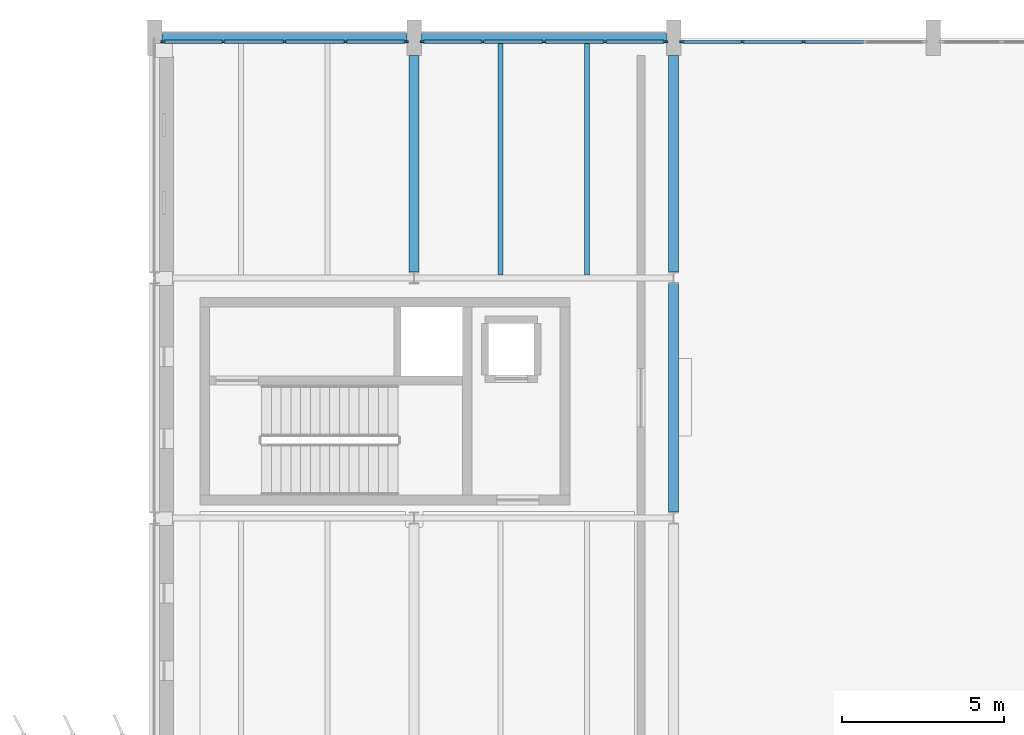
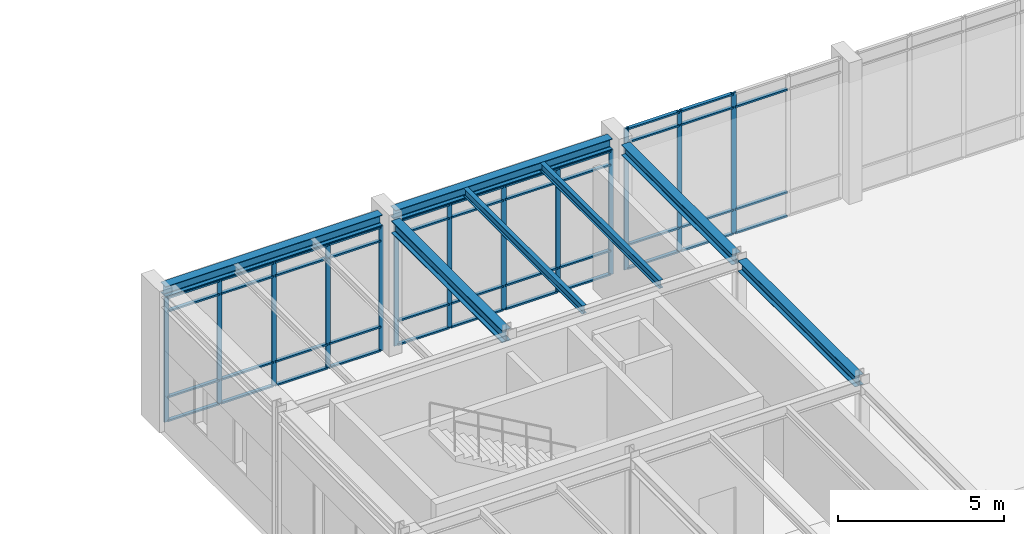
# One storey, part 22 of 48: 56 members, 7 beams, 3 elements without a shape of their own.
"""IFC4 building model written with IfcOpenShell, lengths in metres."""

import ifcopenshell
import ifcopenshell.guid

model = None  # the IFC model being written
_history = None  # IfcOwnerHistory: only IFC2X3 demands one
_inside = {}  # id of a spatial element -> (the spatial element, [elements in it])
_under = {}  # id of a project, library or spatial element -> (it, [spatial elements below it])
_declared = {}  # id of a project -> (the project, [libraries it declares])
_typed = {}  # id of a type object -> (the type object, [elements of that type])
_made_of = {}  # id of a material, layer set ... -> (it, [elements and type objects made of it])


def new_model(schema):
    """Start an empty IFC model of exactly this schema.

    Asked for "IFC4X3", IfcOpenShell would pick the latest addendum, in which some entities
    have other attributes; the version numbers below select the first issue.
    IFC2X3 requires an IfcOwnerHistory on every rooted entity: one is made here for all.
    """
    global model, _history
    if schema == "IFC4X3":
        model = ifcopenshell.file(schema_version=(4, 3, 0, 0))
    else:
        model = ifcopenshell.file(schema=schema)
    _inside.clear()
    _under.clear()
    _declared.clear()
    _typed.clear()
    _made_of.clear()
    _history = None
    if model.schema == "IFC2X3":
        org = make("IfcOrganization", Name="unknown")
        user = make(
            "IfcPersonAndOrganization",
            ThePerson=make("IfcPerson", FamilyName="unknown"),
            TheOrganization=org,
        )
        app = make(
            "IfcApplication",
            ApplicationDeveloper=org,
            Version="unknown",
            ApplicationFullName="unknown",
            ApplicationIdentifier="unknown",
        )
        _history = make(
            "IfcOwnerHistory",
            OwningUser=user,
            OwningApplication=app,
            ChangeAction="ADDED",
            CreationDate=0,
        )
    return model


def make(cls, **values):
    """One entity of the class cls with the attributes given. An attribute that is None is left unset."""
    return model.create_entity(
        cls, **{name: value for name, value in values.items() if value is not None}
    )


def rooted(cls, **values):
    """An entity with a GlobalId (a new one), such as an element, a storey or a relation."""
    return make(cls, GlobalId=ifcopenshell.guid.new(), OwnerHistory=_history, **values)


def si_unit(unit_type, name, prefix=None):
    """IfcSIUnit, for example si_unit("LENGTHUNIT", "METRE", prefix="MILLI")."""
    return make("IfcSIUnit", UnitType=unit_type, Prefix=prefix, Name=name)


def assignment(units):
    """IfcUnitAssignment: the units of a project."""
    return None if units is None else make("IfcUnitAssignment", Units=units)


def point(xyz):
    """IfcCartesianPoint."""
    return None if xyz is None else make("IfcCartesianPoint", Coordinates=xyz)


def direction(xyz):
    """IfcDirection."""
    return None if xyz is None else make("IfcDirection", DirectionRatios=xyz)


def frame(location, z_axis=None, x_axis=None):
    """IfcAxis2Placement3D, a coordinate frame: its origin and axes. An axis left out is left unset."""
    return make(
        "IfcAxis2Placement3D",
        Location=point(location),
        Axis=direction(z_axis),
        RefDirection=direction(x_axis),
    )


def frame_2d(location, x_axis=None):
    """IfcAxis2Placement2D, a coordinate frame in the plane: its origin and x axis."""
    return make(
        "IfcAxis2Placement2D", Location=point(location), RefDirection=direction(x_axis)
    )


def origin():
    """The frame at (0, 0, 0) with its axes left unset."""
    return frame((0.0, 0.0, 0.0))


def origin_2d():
    """The frame at (0, 0) in the plane with its x axis left unset."""
    return frame_2d((0.0, 0.0))


def place(relative_to, where):
    """IfcLocalPlacement: puts the frame where relative to a parent placement (None: the world)."""
    return make(
        "IfcLocalPlacement", PlacementRelTo=relative_to, RelativePlacement=where
    )


def context(
    kind, dimensions, precision=None, world=None, true_north=None, identifier=None
):
    """IfcGeometricRepresentationContext, for example the 3D "Model" context."""
    return make(
        "IfcGeometricRepresentationContext",
        ContextIdentifier=identifier,
        ContextType=kind,
        CoordinateSpaceDimension=dimensions,
        Precision=precision,
        WorldCoordinateSystem=world,
        TrueNorth=true_north,
    )


def subcontext(parent, identifier, kind, view, scale=None):
    """IfcGeometricRepresentationSubContext, for example "Body" below "Model"."""
    return make(
        "IfcGeometricRepresentationSubContext",
        ContextIdentifier=identifier,
        ContextType=kind,
        ParentContext=parent,
        TargetScale=scale,
        TargetView=view,
    )


def project(units=None, contexts=None):
    """IfcProject with its units and contexts."""
    return rooted(
        "IfcProject",
        Name="project",
        RepresentationContexts=contexts,
        UnitsInContext=assignment(units),
    )


def spatial(cls, under=None, at=None, **own):
    """A site, building, storey or space (cls), placed at a placement, below another one or the project."""
    s = rooted(cls, ObjectPlacement=at, **own)
    if under is not None:
        _under.setdefault(under.id(), (under, []))[1].append(s)
    return s


def profile(cls, at=None, kind="AREA", **sizes):
    """A parametric profile (cls). Its sizes go by their IFC names, for example OverallWidth=200.0."""
    return make(cls, ProfileType=kind, Position=at, **sizes)


def rectangle(**sizes):
    """IfcRectangleProfileDef."""
    return profile("IfcRectangleProfileDef", **sizes)


def i_section(**sizes):
    """IfcIShapeProfileDef."""
    return profile("IfcIShapeProfileDef", **sizes)


def extrude(swept, where, along, depth):
    """IfcExtrudedAreaSolid: the profile swept, set in the frame where, extruded along a direction by depth."""
    return make(
        "IfcExtrudedAreaSolid",
        SweptArea=swept,
        Position=where,
        ExtrudedDirection=direction(along),
        Depth=depth,
    )


def shape(context_of_items, identifier, shape_type, items):
    """IfcShapeRepresentation: the items that make up one representation, for example the "Body"."""
    return make(
        "IfcShapeRepresentation",
        ContextOfItems=context_of_items,
        RepresentationIdentifier=identifier,
        RepresentationType=shape_type,
        Items=items,
    )


def material(Name=None, Category=None):
    """IfcMaterial."""
    return make("IfcMaterial", Name=Name, Category=Category)


def layer(
    of_material, thickness, ventilated=None, Name=None, Category=None, Priority=None
):
    """IfcMaterialLayer: one layer of a wall or slab, of a material (None: an air gap)."""
    return make(
        "IfcMaterialLayer",
        Material=of_material,
        LayerThickness=thickness,
        IsVentilated=ventilated,
        Name=Name,
        Category=Category,
        Priority=Priority,
    )


def layer_set(layers, Name=None):
    """IfcMaterialLayerSet."""
    return make("IfcMaterialLayerSet", MaterialLayers=layers, LayerSetName=Name)


def material_profile(
    of_material, cross_section, Name=None, Category=None, Priority=None
):
    """IfcMaterialProfile: a cross section and its material."""
    return make(
        "IfcMaterialProfile",
        Name=Name,
        Material=of_material,
        Profile=cross_section,
        Priority=Priority,
        Category=Category,
    )


def profile_set(profiles, Name=None, composite=None):
    """IfcMaterialProfileSet."""
    return make(
        "IfcMaterialProfileSet",
        Name=Name,
        MaterialProfiles=profiles,
        CompositeProfile=composite,
    )


def made_of(thing, what):
    """Note that an element or type object is made of a material, layer set ...; save() writes the relation."""
    if what is not None:
        _made_of.setdefault(what.id(), (what, []))[1].append(thing)
    return thing


def type_object(cls, material=None, **own):
    """A type object (cls), such as IfcWallType, which elements share."""
    return made_of(rooted(cls, **own), material)


def element(
    cls,
    number,
    at=None,
    inside=None,
    cuts=None,
    type_object=None,
    material=None,
    context=None,
    identifier="Body",
    shape_type=None,
    held_by="IfcProductDefinitionShape",
    body=None,
    shapes=None,
    **own,
):
    """One element of the class cls, such as IfcWall. Its Tag is "e" and its number.

    at: its placement. inside: the storey or other place that contains it. cuts: it is an
    opening in that element (IfcRelVoidsElement). A single representation is given by context,
    identifier, shape_type and body (its items); several are given by shapes. held_by: the class
    of the entity that holds the representations. save() writes the other relations.
    """
    e = rooted(cls, Tag="e%d" % number, ObjectPlacement=at, **own)
    if body is not None:
        shapes = [shape(context, identifier, shape_type, body)]
    if shapes is not None:
        e.Representation = make(held_by, Representations=shapes)
    if inside is not None:
        _inside.setdefault(inside.id(), (inside, []))[1].append(e)
    if cuts is not None:
        rooted(
            "IfcRelVoidsElement", RelatingBuildingElement=cuts, RelatedOpeningElement=e
        )
    if type_object is not None:
        _typed.setdefault(type_object.id(), (type_object, []))[1].append(e)
    return made_of(e, material)


def aggregate(whole, parts):
    """IfcRelAggregates: a whole, such as a stair, and the parts it consists of."""
    return rooted("IfcRelAggregates", RelatingObject=whole, RelatedObjects=parts)


def save(model, path):
    """Write the relations noted so far, then the file.

    IfcRelAggregates (storeys below a building ...), IfcRelContainedInSpatialStructure (elements
    in a storey), IfcRelDefinesByType, IfcRelAssociatesMaterial and IfcRelDeclares: one each for
    every whole, place, type object, material and project.
    """
    for whole, parts in _under.values():
        aggregate(whole, parts)
    for where, things in _inside.values():
        rooted(
            "IfcRelContainedInSpatialStructure",
            RelatedElements=things,
            RelatingStructure=where,
        )
    for kind, things in _typed.values():
        rooted("IfcRelDefinesByType", RelatedObjects=things, RelatingType=kind)
    for what, things in _made_of.values():
        rooted("IfcRelAssociatesMaterial", RelatedObjects=things, RelatingMaterial=what)
    for by, libraries in _declared.values():
        rooted("IfcRelDeclares", RelatingContext=by, RelatedDefinitions=libraries)
    model.write(path)


model = new_model("IFC4")

# Units and contexts
model_context = context("Model", 3, precision=1e-05, world=origin(), true_north=direction((0.0, 1.0)))
body_context = subcontext(model_context, "Body", "Model", "MODEL_VIEW")
ifc_project = project(units=[si_unit("LENGTHUNIT", "METRE"), si_unit("AREAUNIT", "SQUARE_METRE"), si_unit("VOLUMEUNIT", "CUBIC_METRE"), si_unit("PLANEANGLEUNIT", "RADIAN"), si_unit("MASSUNIT", "GRAM", prefix="KILO")], contexts=[model_context])

# Site, building, storey
site_placement = place(None, origin())
site = spatial("IfcSite", under=ifc_project, at=site_placement, CompositionType="ELEMENT")
building_placement = place(site_placement, origin())
building = spatial("IfcBuilding", under=site, at=building_placement, Name="Valkorina Park Police Headquarters", CompositionType="ELEMENT")
storey_placement = place(building_placement, frame((0.0, 0.0, 18.10009765625)))
storey = spatial("IfcBuildingStorey", under=building, at=storey_placement, Name="L05", CompositionType="ELEMENT", Elevation=18.10009765625)

# Beams
ifc_material_1 = material(Name="Steel S355", Category="steel")
ifc_material_profile_1 = material_profile(ifc_material_1, i_section(OverallWidth=0.300048828125, OverallDepth=0.389892578125, WebThickness=0.010986328125, FlangeThickness=0.01904296875, FilletRadius=0.027099609375, at=origin_2d()), Name="HEA 400")
ifc_profile_set_1 = profile_set([ifc_material_profile_1], Name="Steel S355")
beam_type_1 = type_object("IfcBeamType", Name="BM-S355-HEA400-SPN", PredefinedType="SPANDREL", material=ifc_profile_set_1)
for number, where, z_axis, x_axis, name in (
    (1, (81.02490234375, 81.39990234375, 4.784912109375), (1.0, 0.0, 0.0), (0.0, 1.0, 0.0), "L05 Framing Beam 2505"),
    (2, (89.02490234375, 81.39990234375, 4.784912109375), (1.0, 0.0, 0.0), (0.0, 1.0, 0.0), "L05 Framing Beam 2506"),
):
    element("IfcBeam", number, at=place(storey_placement, frame(where, z_axis=z_axis, x_axis=x_axis)), inside=storey, type_object=beam_type_1, Name=name, PredefinedType="SPANDREL", context=body_context, shape_type="SweptSolid", body=[
        extrude(i_section(OverallWidth=0.300048828125, OverallDepth=0.389892578125, WebThickness=0.010986328125, FlangeThickness=0.01904296875, FilletRadius=0.027099609375, at=origin_2d()), origin(), (0.0, 0.0, 1.0), 7.550048828125),
    ])
beam_1_placement = place(storey_placement, frame((96.800048828125, 66.780029296875, 4.784912109375), z_axis=(0.0, 1.0, 0.0), x_axis=(-1.0, 0.0, 0.0)))
element("IfcBeam", 3, at=beam_1_placement, inside=storey, type_object=beam_type_1, Name="L05 Framing Beam 2588", PredefinedType="SPANDREL", context=body_context, shape_type="SweptSolid", body=[
    extrude(i_section(OverallWidth=0.300048828125, OverallDepth=0.389892578125, WebThickness=0.010986328125, FlangeThickness=0.01904296875, FilletRadius=0.027099609375, at=origin_2d()), origin(), (0.0, 0.0, 1.0), 7.0400390625),
])
beam_2_placement = place(storey_placement, frame((96.800048828125, 74.179931640625, 4.784912109375), z_axis=(0.0, 1.0, 0.0), x_axis=(-1.0, 0.0, 0.0)))
element("IfcBeam", 4, at=beam_2_placement, inside=storey, type_object=beam_type_1, Name="L05 Framing Beam 2589", PredefinedType="SPANDREL", context=body_context, shape_type="SweptSolid", body=[
    extrude(i_section(OverallWidth=0.300048828125, OverallDepth=0.389892578125, WebThickness=0.010986328125, FlangeThickness=0.01904296875, FilletRadius=0.027099609375, at=origin_2d()), origin(), (0.0, 0.0, 1.0), 6.670166015625),
])
ifc_material_profile_2 = material_profile(ifc_material_1, i_section(OverallWidth=0.300048828125, OverallDepth=0.449951171875, WebThickness=0.013916015625, FlangeThickness=0.02587890625, FilletRadius=0.027099609375, at=origin_2d()), Name="HEB 450")
ifc_profile_set_2 = profile_set([ifc_material_profile_2], Name="Steel S355")
beam_type_2 = type_object("IfcBeamType", Name="BM-S355-HEB450-BM", PredefinedType="BEAM", material=ifc_profile_set_2)
beam_3_placement = place(storey_placement, frame((88.800048828125, 74.179931640625, 4.7548828125), z_axis=(0.0, 1.0, 0.0), x_axis=(-1.0, 0.0, 0.0)))
element("IfcBeam", 5, at=beam_3_placement, inside=storey, type_object=beam_type_2, Name="L05 Framing Beam 2575", PredefinedType="BEAM", context=body_context, shape_type="SweptSolid", body=[
    extrude(i_section(OverallWidth=0.300048828125, OverallDepth=0.449951171875, WebThickness=0.013916015625, FlangeThickness=0.02587890625, FilletRadius=0.027099609375, at=origin_2d()), origin(), (0.0, 0.0, 1.0), 6.670166015625),
])
ifc_material_profile_3 = material_profile(ifc_material_1, i_section(OverallWidth=0.14990234375, OverallDepth=0.300048828125, WebThickness=0.007080078125, FlangeThickness=0.0107421875, FilletRadius=0.014892578125, at=origin_2d()), Name="IPE 300")
ifc_profile_set_3 = profile_set([ifc_material_profile_3], Name="Steel S355")
beam_type_3 = type_object("IfcBeamType", Name="BM-S355-IPE300-JST", PredefinedType="JOIST", material=ifc_profile_set_3)
for number, where, z_axis, x_axis, name in (
    (6, (91.466796875, 74.094970703125, 4.829833984375), (0.0, 1.0, 0.0), (-1.0, 0.0, 0.0), "L05 Framing Beam 2576"),
    (7, (94.13330078125, 74.094970703125, 4.829833984375), (0.0, 1.0, 0.0), (-1.0, 0.0, 0.0), "L05 Framing Beam 2577"),
):
    element("IfcBeam", number, at=place(storey_placement, frame(where, z_axis=z_axis, x_axis=x_axis)), inside=storey, type_object=beam_type_3, Name=name, PredefinedType="JOIST", context=body_context, shape_type="SweptSolid", body=[
        extrude(i_section(OverallWidth=0.14990234375, OverallDepth=0.300048828125, WebThickness=0.007080078125, FlangeThickness=0.0107421875, FilletRadius=0.014892578125, at=origin_2d()), origin(), (0.0, 0.0, 1.0), 7.155029296875),
    ])

# Curtain wall, members
ifc_material_2 = material(Name="Thermally broken aluminium AW-6060", Category="aluminium")
ifc_layer_1 = layer(ifc_material_2, 0.18994140625)
ifc_layer_set_1 = layer_set([ifc_layer_1], Name="Thermally broken aluminium AW-6060")
curtain_wall_type_1 = type_object("IfcCurtainWallType", Name="CW-CMD-7530x4580", PredefinedType="NOTDEFINED", material=ifc_layer_set_1)
curtain_wall_1_placement = place(storey_placement, origin())
curtain_wall_1 = element("IfcCurtainWall", 8, at=curtain_wall_1_placement, inside=storey, type_object=curtain_wall_type_1, Name="L05 Unitised Curtain Wall 088", PredefinedType="NOTDEFINED")
ifc_material_profile_4 = material_profile(ifc_material_2, rectangle(XDim=0.06005859375, YDim=0.159912109375, at=origin_2d()), Name="CWM-01 60x160")
ifc_profile_set_4 = profile_set([ifc_material_profile_4], Name="Thermally broken aluminium AW-6060")
member_type_1 = type_object("IfcMemberType", Name="CWM-60x160", PredefinedType="MULLION", material=ifc_profile_set_4)
member_1_placement = place(storey_placement, frame((81.06494140625, 81.280029296875, 0.0), z_axis=(0.0, 0.0, 1.0), x_axis=(0.0, 1.0, 0.0)))
member_1 = element("IfcMember", 9, at=member_1_placement, type_object=member_type_1, Name="CW-CMD-753-458 mullion 1", PredefinedType="MULLION", context=body_context, shape_type="SweptSolid", body=[
    extrude(rectangle(XDim=0.06005859375, YDim=0.159912109375, at=origin_2d()), origin(), (0.0, 0.0, 1.0), 4.579833984375),
])
member_2_placement = place(storey_placement, frame((82.91748046875, 81.280029296875, 0.0), z_axis=(0.0, 0.0, 1.0), x_axis=(0.0, 1.0, 0.0)))
member_2 = element("IfcMember", 10, at=member_2_placement, type_object=member_type_1, Name="CW-CMD-753-458 mullion 2", PredefinedType="MULLION", context=body_context, shape_type="SweptSolid", body=[
    extrude(rectangle(XDim=0.06005859375, YDim=0.159912109375, at=origin_2d()), origin(), (0.0, 0.0, 1.0), 4.579833984375),
])
member_3_placement = place(storey_placement, frame((84.800048828125, 81.280029296875, 0.0), z_axis=(0.0, 0.0, 1.0), x_axis=(0.0, 1.0, 0.0)))
member_3 = element("IfcMember", 11, at=member_3_placement, type_object=member_type_1, Name="CW-CMD-753-458 mullion 3", PredefinedType="MULLION", context=body_context, shape_type="SweptSolid", body=[
    extrude(rectangle(XDim=0.06005859375, YDim=0.159912109375, at=origin_2d()), origin(), (0.0, 0.0, 1.0), 4.579833984375),
])
member_4_placement = place(storey_placement, frame((86.6826171875, 81.280029296875, 0.0), z_axis=(0.0, 0.0, 1.0), x_axis=(0.0, 1.0, 0.0)))
member_4 = element("IfcMember", 12, at=member_4_placement, type_object=member_type_1, Name="CW-CMD-753-458 mullion 4", PredefinedType="MULLION", context=body_context, shape_type="SweptSolid", body=[
    extrude(rectangle(XDim=0.06005859375, YDim=0.159912109375, at=origin_2d()), origin(), (0.0, 0.0, 1.0), 4.579833984375),
])
member_5_placement = place(storey_placement, frame((88.534912109375, 81.280029296875, 0.0), z_axis=(0.0, 0.0, 1.0), x_axis=(0.0, 1.0, 0.0)))
member_5 = element("IfcMember", 13, at=member_5_placement, type_object=member_type_1, Name="CW-CMD-753-458 mullion 5", PredefinedType="MULLION", context=body_context, shape_type="SweptSolid", body=[
    extrude(rectangle(XDim=0.06005859375, YDim=0.159912109375, at=origin_2d()), origin(), (0.0, 0.0, 1.0), 4.579833984375),
])

curtain_wall_2_placement = place(storey_placement, origin())
curtain_wall_2 = element("IfcCurtainWall", 14, at=curtain_wall_2_placement, inside=storey, type_object=curtain_wall_type_1, Name="L05 Unitised Curtain Wall 089", PredefinedType="NOTDEFINED")
member_6_placement = place(storey_placement, frame((89.06494140625, 81.280029296875, 0.0), z_axis=(0.0, 0.0, 1.0), x_axis=(0.0, 1.0, 0.0)))
member_6 = element("IfcMember", 15, at=member_6_placement, type_object=member_type_1, Name="CW-CMD-753-458 mullion 1", PredefinedType="MULLION", context=body_context, shape_type="SweptSolid", body=[
    extrude(rectangle(XDim=0.06005859375, YDim=0.159912109375, at=origin_2d()), origin(), (0.0, 0.0, 1.0), 4.579833984375),
])
member_7_placement = place(storey_placement, frame((90.91748046875, 81.280029296875, 0.0), z_axis=(0.0, 0.0, 1.0), x_axis=(0.0, 1.0, 0.0)))
member_7 = element("IfcMember", 16, at=member_7_placement, type_object=member_type_1, Name="CW-CMD-753-458 mullion 2", PredefinedType="MULLION", context=body_context, shape_type="SweptSolid", body=[
    extrude(rectangle(XDim=0.06005859375, YDim=0.159912109375, at=origin_2d()), origin(), (0.0, 0.0, 1.0), 4.579833984375),
])
member_8_placement = place(storey_placement, frame((92.800048828125, 81.280029296875, 0.0), z_axis=(0.0, 0.0, 1.0), x_axis=(0.0, 1.0, 0.0)))
member_8 = element("IfcMember", 17, at=member_8_placement, type_object=member_type_1, Name="CW-CMD-753-458 mullion 3", PredefinedType="MULLION", context=body_context, shape_type="SweptSolid", body=[
    extrude(rectangle(XDim=0.06005859375, YDim=0.159912109375, at=origin_2d()), origin(), (0.0, 0.0, 1.0), 4.579833984375),
])
member_9_placement = place(storey_placement, frame((94.6826171875, 81.280029296875, 0.0), z_axis=(0.0, 0.0, 1.0), x_axis=(0.0, 1.0, 0.0)))
member_9 = element("IfcMember", 18, at=member_9_placement, type_object=member_type_1, Name="CW-CMD-753-458 mullion 4", PredefinedType="MULLION", context=body_context, shape_type="SweptSolid", body=[
    extrude(rectangle(XDim=0.06005859375, YDim=0.159912109375, at=origin_2d()), origin(), (0.0, 0.0, 1.0), 4.579833984375),
])
member_10_placement = place(storey_placement, frame((96.534912109375, 81.280029296875, 0.0), z_axis=(0.0, 0.0, 1.0), x_axis=(0.0, 1.0, 0.0)))
member_10 = element("IfcMember", 19, at=member_10_placement, type_object=member_type_1, Name="CW-CMD-753-458 mullion 5", PredefinedType="MULLION", context=body_context, shape_type="SweptSolid", body=[
    extrude(rectangle(XDim=0.06005859375, YDim=0.159912109375, at=origin_2d()), origin(), (0.0, 0.0, 1.0), 4.579833984375),
])

ifc_layer_2 = layer(ifc_material_2, 0.18994140625)
ifc_layer_set_2 = layer_set([ifc_layer_2], Name="Thermally broken aluminium AW-6060")
curtain_wall_type_2 = type_object("IfcCurtainWallType", Name="CW-CMD-7530x5190", PredefinedType="NOTDEFINED", material=ifc_layer_set_2)
curtain_wall_3_placement = place(storey_placement, origin())
curtain_wall_3 = element("IfcCurtainWall", 20, at=curtain_wall_3_placement, inside=storey, type_object=curtain_wall_type_2, Name="L05 Unitised Curtain Wall 090", PredefinedType="NOTDEFINED")
member_11_placement = place(storey_placement, frame((97.06494140625, 81.280029296875, 0.0), z_axis=(0.0, 0.0, 1.0), x_axis=(0.0, 1.0, 0.0)))
member_11 = element("IfcMember", 21, at=member_11_placement, type_object=member_type_1, Name="CW-CMD-753-519 mullion 1", PredefinedType="MULLION", context=body_context, shape_type="SweptSolid", body=[
    extrude(rectangle(XDim=0.06005859375, YDim=0.159912109375, at=origin_2d()), origin(), (0.0, 0.0, 1.0), 5.18994140625),
])
member_12_placement = place(storey_placement, frame((98.91748046875, 81.280029296875, 0.0), z_axis=(0.0, 0.0, 1.0), x_axis=(0.0, 1.0, 0.0)))
member_12 = element("IfcMember", 22, at=member_12_placement, type_object=member_type_1, Name="CW-CMD-753-519 mullion 2", PredefinedType="MULLION", context=body_context, shape_type="SweptSolid", body=[
    extrude(rectangle(XDim=0.06005859375, YDim=0.159912109375, at=origin_2d()), origin(), (0.0, 0.0, 1.0), 5.18994140625),
])
member_13_placement = place(storey_placement, frame((100.800048828125, 81.280029296875, 0.0), z_axis=(0.0, 0.0, 1.0), x_axis=(0.0, 1.0, 0.0)))
member_13 = element("IfcMember", 23, at=member_13_placement, type_object=member_type_1, Name="CW-CMD-753-519 mullion 3", PredefinedType="MULLION", context=body_context, shape_type="SweptSolid", body=[
    extrude(rectangle(XDim=0.06005859375, YDim=0.159912109375, at=origin_2d()), origin(), (0.0, 0.0, 1.0), 5.18994140625),
])

# Member
ifc_material_profile_5 = material_profile(ifc_material_2, rectangle(XDim=0.1201171875, YDim=0.06005859375, at=origin_2d()), Name="CWT-01 120x60")
ifc_profile_set_5 = profile_set([ifc_material_profile_5], Name="Thermally broken aluminium AW-6060")
member_type_2 = type_object("IfcMemberType", Name="CWT-120x60", PredefinedType="USERDEFINED", material=ifc_profile_set_5)
member_14_placement = place(storey_placement, frame((81.094970703125, 81.280029296875, 0.02978515625), z_axis=(1.0, 0.0, 0.0), x_axis=(0.0, 1.0, 0.0)))
member_14 = element("IfcMember", 24, at=member_14_placement, type_object=member_type_2, Name="CW-CMD-753-458 transom 1.1", ObjectType="TRANSOM", PredefinedType="USERDEFINED", context=body_context, shape_type="SweptSolid", body=[
    extrude(rectangle(XDim=0.1201171875, YDim=0.06005859375, at=origin_2d()), origin(), (0.0, 0.0, 1.0), 1.79248046875),
])

member_15_placement = place(storey_placement, frame((81.094970703125, 81.280029296875, 0.89990234375), z_axis=(1.0, 0.0, 0.0), x_axis=(0.0, 1.0, 0.0)))
member_15 = element("IfcMember", 25, at=member_15_placement, type_object=member_type_2, Name="CW-CMD-753-458 transom 1.2", ObjectType="TRANSOM", PredefinedType="USERDEFINED", context=body_context, shape_type="SweptSolid", body=[
    extrude(rectangle(XDim=0.1201171875, YDim=0.06005859375, at=origin_2d()), origin(), (0.0, 0.0, 1.0), 1.79248046875),
])

member_16_placement = place(storey_placement, frame((81.094970703125, 81.280029296875, 4.059814453125), z_axis=(1.0, 0.0, 0.0), x_axis=(0.0, 1.0, 0.0)))
member_16 = element("IfcMember", 26, at=member_16_placement, type_object=member_type_2, Name="CW-CMD-753-458 transom 1.3", ObjectType="TRANSOM", PredefinedType="USERDEFINED", context=body_context, shape_type="SweptSolid", body=[
    extrude(rectangle(XDim=0.1201171875, YDim=0.06005859375, at=origin_2d()), origin(), (0.0, 0.0, 1.0), 1.79248046875),
])

member_17_placement = place(storey_placement, frame((81.094970703125, 81.280029296875, 4.5498046875), z_axis=(1.0, 0.0, 0.0), x_axis=(0.0, 1.0, 0.0)))
member_17 = element("IfcMember", 27, at=member_17_placement, type_object=member_type_2, Name="CW-CMD-753-458 transom 1.4", ObjectType="TRANSOM", PredefinedType="USERDEFINED", context=body_context, shape_type="SweptSolid", body=[
    extrude(rectangle(XDim=0.1201171875, YDim=0.06005859375, at=origin_2d()), origin(), (0.0, 0.0, 1.0), 1.79248046875),
])

member_18_placement = place(storey_placement, frame((82.947509765625, 81.280029296875, 0.02978515625), z_axis=(1.0, 0.0, 0.0), x_axis=(0.0, 1.0, 0.0)))
member_18 = element("IfcMember", 28, at=member_18_placement, type_object=member_type_2, Name="CW-CMD-753-458 transom 2.1", ObjectType="TRANSOM", PredefinedType="USERDEFINED", context=body_context, shape_type="SweptSolid", body=[
    extrude(rectangle(XDim=0.1201171875, YDim=0.06005859375, at=origin_2d()), origin(), (0.0, 0.0, 1.0), 1.822509765625),
])

member_19_placement = place(storey_placement, frame((82.947509765625, 81.280029296875, 0.89990234375), z_axis=(1.0, 0.0, 0.0), x_axis=(0.0, 1.0, 0.0)))
member_19 = element("IfcMember", 29, at=member_19_placement, type_object=member_type_2, Name="CW-CMD-753-458 transom 2.2", ObjectType="TRANSOM", PredefinedType="USERDEFINED", context=body_context, shape_type="SweptSolid", body=[
    extrude(rectangle(XDim=0.1201171875, YDim=0.06005859375, at=origin_2d()), origin(), (0.0, 0.0, 1.0), 1.822509765625),
])

member_20_placement = place(storey_placement, frame((82.947509765625, 81.280029296875, 4.059814453125), z_axis=(1.0, 0.0, 0.0), x_axis=(0.0, 1.0, 0.0)))
member_20 = element("IfcMember", 30, at=member_20_placement, type_object=member_type_2, Name="CW-CMD-753-458 transom 2.3", ObjectType="TRANSOM", PredefinedType="USERDEFINED", context=body_context, shape_type="SweptSolid", body=[
    extrude(rectangle(XDim=0.1201171875, YDim=0.06005859375, at=origin_2d()), origin(), (0.0, 0.0, 1.0), 1.822509765625),
])

member_21_placement = place(storey_placement, frame((82.947509765625, 81.280029296875, 4.5498046875), z_axis=(1.0, 0.0, 0.0), x_axis=(0.0, 1.0, 0.0)))
member_21 = element("IfcMember", 31, at=member_21_placement, type_object=member_type_2, Name="CW-CMD-753-458 transom 2.4", ObjectType="TRANSOM", PredefinedType="USERDEFINED", context=body_context, shape_type="SweptSolid", body=[
    extrude(rectangle(XDim=0.1201171875, YDim=0.06005859375, at=origin_2d()), origin(), (0.0, 0.0, 1.0), 1.822509765625),
])

member_22_placement = place(storey_placement, frame((84.830078125, 81.280029296875, 0.02978515625), z_axis=(1.0, 0.0, 0.0), x_axis=(0.0, 1.0, 0.0)))
member_22 = element("IfcMember", 32, at=member_22_placement, type_object=member_type_2, Name="CW-CMD-753-458 transom 3.1", ObjectType="TRANSOM", PredefinedType="USERDEFINED", context=body_context, shape_type="SweptSolid", body=[
    extrude(rectangle(XDim=0.1201171875, YDim=0.06005859375, at=origin_2d()), origin(), (0.0, 0.0, 1.0), 1.822509765625),
])

member_23_placement = place(storey_placement, frame((84.830078125, 81.280029296875, 0.89990234375), z_axis=(1.0, 0.0, 0.0), x_axis=(0.0, 1.0, 0.0)))
member_23 = element("IfcMember", 33, at=member_23_placement, type_object=member_type_2, Name="CW-CMD-753-458 transom 3.2", ObjectType="TRANSOM", PredefinedType="USERDEFINED", context=body_context, shape_type="SweptSolid", body=[
    extrude(rectangle(XDim=0.1201171875, YDim=0.06005859375, at=origin_2d()), origin(), (0.0, 0.0, 1.0), 1.822509765625),
])

member_24_placement = place(storey_placement, frame((84.830078125, 81.280029296875, 4.059814453125), z_axis=(1.0, 0.0, 0.0), x_axis=(0.0, 1.0, 0.0)))
member_24 = element("IfcMember", 34, at=member_24_placement, type_object=member_type_2, Name="CW-CMD-753-458 transom 3.3", ObjectType="TRANSOM", PredefinedType="USERDEFINED", context=body_context, shape_type="SweptSolid", body=[
    extrude(rectangle(XDim=0.1201171875, YDim=0.06005859375, at=origin_2d()), origin(), (0.0, 0.0, 1.0), 1.822509765625),
])

member_25_placement = place(storey_placement, frame((84.830078125, 81.280029296875, 4.5498046875), z_axis=(1.0, 0.0, 0.0), x_axis=(0.0, 1.0, 0.0)))
member_25 = element("IfcMember", 35, at=member_25_placement, type_object=member_type_2, Name="CW-CMD-753-458 transom 3.4", ObjectType="TRANSOM", PredefinedType="USERDEFINED", context=body_context, shape_type="SweptSolid", body=[
    extrude(rectangle(XDim=0.1201171875, YDim=0.06005859375, at=origin_2d()), origin(), (0.0, 0.0, 1.0), 1.822509765625),
])

member_26_placement = place(storey_placement, frame((86.71240234375, 81.280029296875, 0.02978515625), z_axis=(1.0, 0.0, 0.0), x_axis=(0.0, 1.0, 0.0)))
member_26 = element("IfcMember", 36, at=member_26_placement, type_object=member_type_2, Name="CW-CMD-753-458 transom 4.1", ObjectType="TRANSOM", PredefinedType="USERDEFINED", context=body_context, shape_type="SweptSolid", body=[
    extrude(rectangle(XDim=0.1201171875, YDim=0.06005859375, at=origin_2d()), origin(), (0.0, 0.0, 1.0), 1.79248046875),
])

member_27_placement = place(storey_placement, frame((86.71240234375, 81.280029296875, 0.89990234375), z_axis=(1.0, 0.0, 0.0), x_axis=(0.0, 1.0, 0.0)))
member_27 = element("IfcMember", 37, at=member_27_placement, type_object=member_type_2, Name="CW-CMD-753-458 transom 4.2", ObjectType="TRANSOM", PredefinedType="USERDEFINED", context=body_context, shape_type="SweptSolid", body=[
    extrude(rectangle(XDim=0.1201171875, YDim=0.06005859375, at=origin_2d()), origin(), (0.0, 0.0, 1.0), 1.79248046875),
])

member_28_placement = place(storey_placement, frame((86.71240234375, 81.280029296875, 4.059814453125), z_axis=(1.0, 0.0, 0.0), x_axis=(0.0, 1.0, 0.0)))
member_28 = element("IfcMember", 38, at=member_28_placement, type_object=member_type_2, Name="CW-CMD-753-458 transom 4.3", ObjectType="TRANSOM", PredefinedType="USERDEFINED", context=body_context, shape_type="SweptSolid", body=[
    extrude(rectangle(XDim=0.1201171875, YDim=0.06005859375, at=origin_2d()), origin(), (0.0, 0.0, 1.0), 1.79248046875),
])

member_29_placement = place(storey_placement, frame((86.71240234375, 81.280029296875, 4.5498046875), z_axis=(1.0, 0.0, 0.0), x_axis=(0.0, 1.0, 0.0)))
member_29 = element("IfcMember", 39, at=member_29_placement, type_object=member_type_2, Name="CW-CMD-753-458 transom 4.4", ObjectType="TRANSOM", PredefinedType="USERDEFINED", context=body_context, shape_type="SweptSolid", body=[
    extrude(rectangle(XDim=0.1201171875, YDim=0.06005859375, at=origin_2d()), origin(), (0.0, 0.0, 1.0), 1.79248046875),
])

aggregate(curtain_wall_1, [member_1, member_2, member_3, member_4, member_5, member_14, member_15, member_16, member_17, member_18, member_19, member_20, member_21, member_22, member_23, member_24, member_25, member_26, member_27, member_28, member_29])

member_30_placement = place(storey_placement, frame((89.094970703125, 81.280029296875, 0.02978515625), z_axis=(1.0, 0.0, 0.0), x_axis=(0.0, 1.0, 0.0)))
member_30 = element("IfcMember", 40, at=member_30_placement, type_object=member_type_2, Name="CW-CMD-753-458 transom 1.1", ObjectType="TRANSOM", PredefinedType="USERDEFINED", context=body_context, shape_type="SweptSolid", body=[
    extrude(rectangle(XDim=0.1201171875, YDim=0.06005859375, at=origin_2d()), origin(), (0.0, 0.0, 1.0), 1.79248046875),
])

member_31_placement = place(storey_placement, frame((89.094970703125, 81.280029296875, 0.89990234375), z_axis=(1.0, 0.0, 0.0), x_axis=(0.0, 1.0, 0.0)))
member_31 = element("IfcMember", 41, at=member_31_placement, type_object=member_type_2, Name="CW-CMD-753-458 transom 1.2", ObjectType="TRANSOM", PredefinedType="USERDEFINED", context=body_context, shape_type="SweptSolid", body=[
    extrude(rectangle(XDim=0.1201171875, YDim=0.06005859375, at=origin_2d()), origin(), (0.0, 0.0, 1.0), 1.79248046875),
])

member_32_placement = place(storey_placement, frame((89.094970703125, 81.280029296875, 4.059814453125), z_axis=(1.0, 0.0, 0.0), x_axis=(0.0, 1.0, 0.0)))
member_32 = element("IfcMember", 42, at=member_32_placement, type_object=member_type_2, Name="CW-CMD-753-458 transom 1.3", ObjectType="TRANSOM", PredefinedType="USERDEFINED", context=body_context, shape_type="SweptSolid", body=[
    extrude(rectangle(XDim=0.1201171875, YDim=0.06005859375, at=origin_2d()), origin(), (0.0, 0.0, 1.0), 1.79248046875),
])

member_33_placement = place(storey_placement, frame((89.094970703125, 81.280029296875, 4.5498046875), z_axis=(1.0, 0.0, 0.0), x_axis=(0.0, 1.0, 0.0)))
member_33 = element("IfcMember", 43, at=member_33_placement, type_object=member_type_2, Name="CW-CMD-753-458 transom 1.4", ObjectType="TRANSOM", PredefinedType="USERDEFINED", context=body_context, shape_type="SweptSolid", body=[
    extrude(rectangle(XDim=0.1201171875, YDim=0.06005859375, at=origin_2d()), origin(), (0.0, 0.0, 1.0), 1.79248046875),
])

member_34_placement = place(storey_placement, frame((90.947509765625, 81.280029296875, 0.02978515625), z_axis=(1.0, 0.0, 0.0), x_axis=(0.0, 1.0, 0.0)))
member_34 = element("IfcMember", 44, at=member_34_placement, type_object=member_type_2, Name="CW-CMD-753-458 transom 2.1", ObjectType="TRANSOM", PredefinedType="USERDEFINED", context=body_context, shape_type="SweptSolid", body=[
    extrude(rectangle(XDim=0.1201171875, YDim=0.06005859375, at=origin_2d()), origin(), (0.0, 0.0, 1.0), 1.822509765625),
])

member_35_placement = place(storey_placement, frame((90.947509765625, 81.280029296875, 0.89990234375), z_axis=(1.0, 0.0, 0.0), x_axis=(0.0, 1.0, 0.0)))
member_35 = element("IfcMember", 45, at=member_35_placement, type_object=member_type_2, Name="CW-CMD-753-458 transom 2.2", ObjectType="TRANSOM", PredefinedType="USERDEFINED", context=body_context, shape_type="SweptSolid", body=[
    extrude(rectangle(XDim=0.1201171875, YDim=0.06005859375, at=origin_2d()), origin(), (0.0, 0.0, 1.0), 1.822509765625),
])

member_36_placement = place(storey_placement, frame((90.947509765625, 81.280029296875, 4.059814453125), z_axis=(1.0, 0.0, 0.0), x_axis=(0.0, 1.0, 0.0)))
member_36 = element("IfcMember", 46, at=member_36_placement, type_object=member_type_2, Name="CW-CMD-753-458 transom 2.3", ObjectType="TRANSOM", PredefinedType="USERDEFINED", context=body_context, shape_type="SweptSolid", body=[
    extrude(rectangle(XDim=0.1201171875, YDim=0.06005859375, at=origin_2d()), origin(), (0.0, 0.0, 1.0), 1.822509765625),
])

member_37_placement = place(storey_placement, frame((90.947509765625, 81.280029296875, 4.5498046875), z_axis=(1.0, 0.0, 0.0), x_axis=(0.0, 1.0, 0.0)))
member_37 = element("IfcMember", 47, at=member_37_placement, type_object=member_type_2, Name="CW-CMD-753-458 transom 2.4", ObjectType="TRANSOM", PredefinedType="USERDEFINED", context=body_context, shape_type="SweptSolid", body=[
    extrude(rectangle(XDim=0.1201171875, YDim=0.06005859375, at=origin_2d()), origin(), (0.0, 0.0, 1.0), 1.822509765625),
])

member_38_placement = place(storey_placement, frame((92.830078125, 81.280029296875, 0.02978515625), z_axis=(1.0, 0.0, 0.0), x_axis=(0.0, 1.0, 0.0)))
member_38 = element("IfcMember", 48, at=member_38_placement, type_object=member_type_2, Name="CW-CMD-753-458 transom 3.1", ObjectType="TRANSOM", PredefinedType="USERDEFINED", context=body_context, shape_type="SweptSolid", body=[
    extrude(rectangle(XDim=0.1201171875, YDim=0.06005859375, at=origin_2d()), origin(), (0.0, 0.0, 1.0), 1.822509765625),
])

member_39_placement = place(storey_placement, frame((92.830078125, 81.280029296875, 0.89990234375), z_axis=(1.0, 0.0, 0.0), x_axis=(0.0, 1.0, 0.0)))
member_39 = element("IfcMember", 49, at=member_39_placement, type_object=member_type_2, Name="CW-CMD-753-458 transom 3.2", ObjectType="TRANSOM", PredefinedType="USERDEFINED", context=body_context, shape_type="SweptSolid", body=[
    extrude(rectangle(XDim=0.1201171875, YDim=0.06005859375, at=origin_2d()), origin(), (0.0, 0.0, 1.0), 1.822509765625),
])

member_40_placement = place(storey_placement, frame((92.830078125, 81.280029296875, 4.059814453125), z_axis=(1.0, 0.0, 0.0), x_axis=(0.0, 1.0, 0.0)))
member_40 = element("IfcMember", 50, at=member_40_placement, type_object=member_type_2, Name="CW-CMD-753-458 transom 3.3", ObjectType="TRANSOM", PredefinedType="USERDEFINED", context=body_context, shape_type="SweptSolid", body=[
    extrude(rectangle(XDim=0.1201171875, YDim=0.06005859375, at=origin_2d()), origin(), (0.0, 0.0, 1.0), 1.822509765625),
])

member_41_placement = place(storey_placement, frame((92.830078125, 81.280029296875, 4.5498046875), z_axis=(1.0, 0.0, 0.0), x_axis=(0.0, 1.0, 0.0)))
member_41 = element("IfcMember", 51, at=member_41_placement, type_object=member_type_2, Name="CW-CMD-753-458 transom 3.4", ObjectType="TRANSOM", PredefinedType="USERDEFINED", context=body_context, shape_type="SweptSolid", body=[
    extrude(rectangle(XDim=0.1201171875, YDim=0.06005859375, at=origin_2d()), origin(), (0.0, 0.0, 1.0), 1.822509765625),
])

member_42_placement = place(storey_placement, frame((94.71240234375, 81.280029296875, 0.02978515625), z_axis=(1.0, 0.0, 0.0), x_axis=(0.0, 1.0, 0.0)))
member_42 = element("IfcMember", 52, at=member_42_placement, type_object=member_type_2, Name="CW-CMD-753-458 transom 4.1", ObjectType="TRANSOM", PredefinedType="USERDEFINED", context=body_context, shape_type="SweptSolid", body=[
    extrude(rectangle(XDim=0.1201171875, YDim=0.06005859375, at=origin_2d()), origin(), (0.0, 0.0, 1.0), 1.79248046875),
])

member_43_placement = place(storey_placement, frame((94.71240234375, 81.280029296875, 0.89990234375), z_axis=(1.0, 0.0, 0.0), x_axis=(0.0, 1.0, 0.0)))
member_43 = element("IfcMember", 53, at=member_43_placement, type_object=member_type_2, Name="CW-CMD-753-458 transom 4.2", ObjectType="TRANSOM", PredefinedType="USERDEFINED", context=body_context, shape_type="SweptSolid", body=[
    extrude(rectangle(XDim=0.1201171875, YDim=0.06005859375, at=origin_2d()), origin(), (0.0, 0.0, 1.0), 1.79248046875),
])

member_44_placement = place(storey_placement, frame((94.71240234375, 81.280029296875, 4.059814453125), z_axis=(1.0, 0.0, 0.0), x_axis=(0.0, 1.0, 0.0)))
member_44 = element("IfcMember", 54, at=member_44_placement, type_object=member_type_2, Name="CW-CMD-753-458 transom 4.3", ObjectType="TRANSOM", PredefinedType="USERDEFINED", context=body_context, shape_type="SweptSolid", body=[
    extrude(rectangle(XDim=0.1201171875, YDim=0.06005859375, at=origin_2d()), origin(), (0.0, 0.0, 1.0), 1.79248046875),
])

member_45_placement = place(storey_placement, frame((94.71240234375, 81.280029296875, 4.5498046875), z_axis=(1.0, 0.0, 0.0), x_axis=(0.0, 1.0, 0.0)))
member_45 = element("IfcMember", 55, at=member_45_placement, type_object=member_type_2, Name="CW-CMD-753-458 transom 4.4", ObjectType="TRANSOM", PredefinedType="USERDEFINED", context=body_context, shape_type="SweptSolid", body=[
    extrude(rectangle(XDim=0.1201171875, YDim=0.06005859375, at=origin_2d()), origin(), (0.0, 0.0, 1.0), 1.79248046875),
])

aggregate(curtain_wall_2, [member_6, member_7, member_8, member_9, member_10, member_30, member_31, member_32, member_33, member_34, member_35, member_36, member_37, member_38, member_39, member_40, member_41, member_42, member_43, member_44, member_45])

member_46_placement = place(storey_placement, frame((97.094970703125, 81.280029296875, 0.02978515625), z_axis=(1.0, 0.0, 0.0), x_axis=(0.0, 1.0, 0.0)))
member_46 = element("IfcMember", 56, at=member_46_placement, type_object=member_type_2, Name="CW-CMD-753-519 transom 1.1", ObjectType="TRANSOM", PredefinedType="USERDEFINED", context=body_context, shape_type="SweptSolid", body=[
    extrude(rectangle(XDim=0.1201171875, YDim=0.06005859375, at=origin_2d()), origin(), (0.0, 0.0, 1.0), 1.79248046875),
])

member_47_placement = place(storey_placement, frame((97.094970703125, 81.280029296875, 0.89990234375), z_axis=(1.0, 0.0, 0.0), x_axis=(0.0, 1.0, 0.0)))
member_47 = element("IfcMember", 57, at=member_47_placement, type_object=member_type_2, Name="CW-CMD-753-519 transom 1.2", ObjectType="TRANSOM", PredefinedType="USERDEFINED", context=body_context, shape_type="SweptSolid", body=[
    extrude(rectangle(XDim=0.1201171875, YDim=0.06005859375, at=origin_2d()), origin(), (0.0, 0.0, 1.0), 1.79248046875),
])

member_48_placement = place(storey_placement, frame((97.094970703125, 81.280029296875, 4.669921875), z_axis=(1.0, 0.0, 0.0), x_axis=(0.0, 1.0, 0.0)))
member_48 = element("IfcMember", 58, at=member_48_placement, type_object=member_type_2, Name="CW-CMD-753-519 transom 1.3", ObjectType="TRANSOM", PredefinedType="USERDEFINED", context=body_context, shape_type="SweptSolid", body=[
    extrude(rectangle(XDim=0.1201171875, YDim=0.06005859375, at=origin_2d()), origin(), (0.0, 0.0, 1.0), 1.79248046875),
])

member_49_placement = place(storey_placement, frame((97.094970703125, 81.280029296875, 5.159912109375), z_axis=(1.0, 0.0, 0.0), x_axis=(0.0, 1.0, 0.0)))
member_49 = element("IfcMember", 59, at=member_49_placement, type_object=member_type_2, Name="CW-CMD-753-519 transom 1.4", ObjectType="TRANSOM", PredefinedType="USERDEFINED", context=body_context, shape_type="SweptSolid", body=[
    extrude(rectangle(XDim=0.1201171875, YDim=0.06005859375, at=origin_2d()), origin(), (0.0, 0.0, 1.0), 1.79248046875),
])

member_50_placement = place(storey_placement, frame((98.947509765625, 81.280029296875, 0.02978515625), z_axis=(1.0, 0.0, 0.0), x_axis=(0.0, 1.0, 0.0)))
member_50 = element("IfcMember", 60, at=member_50_placement, type_object=member_type_2, Name="CW-CMD-753-519 transom 2.1", ObjectType="TRANSOM", PredefinedType="USERDEFINED", context=body_context, shape_type="SweptSolid", body=[
    extrude(rectangle(XDim=0.1201171875, YDim=0.06005859375, at=origin_2d()), origin(), (0.0, 0.0, 1.0), 1.822509765625),
])

member_51_placement = place(storey_placement, frame((98.947509765625, 81.280029296875, 0.89990234375), z_axis=(1.0, 0.0, 0.0), x_axis=(0.0, 1.0, 0.0)))
member_51 = element("IfcMember", 61, at=member_51_placement, type_object=member_type_2, Name="CW-CMD-753-519 transom 2.2", ObjectType="TRANSOM", PredefinedType="USERDEFINED", context=body_context, shape_type="SweptSolid", body=[
    extrude(rectangle(XDim=0.1201171875, YDim=0.06005859375, at=origin_2d()), origin(), (0.0, 0.0, 1.0), 1.822509765625),
])

member_52_placement = place(storey_placement, frame((98.947509765625, 81.280029296875, 4.669921875), z_axis=(1.0, 0.0, 0.0), x_axis=(0.0, 1.0, 0.0)))
member_52 = element("IfcMember", 62, at=member_52_placement, type_object=member_type_2, Name="CW-CMD-753-519 transom 2.3", ObjectType="TRANSOM", PredefinedType="USERDEFINED", context=body_context, shape_type="SweptSolid", body=[
    extrude(rectangle(XDim=0.1201171875, YDim=0.06005859375, at=origin_2d()), origin(), (0.0, 0.0, 1.0), 1.822509765625),
])

member_53_placement = place(storey_placement, frame((98.947509765625, 81.280029296875, 5.159912109375), z_axis=(1.0, 0.0, 0.0), x_axis=(0.0, 1.0, 0.0)))
member_53 = element("IfcMember", 63, at=member_53_placement, type_object=member_type_2, Name="CW-CMD-753-519 transom 2.4", ObjectType="TRANSOM", PredefinedType="USERDEFINED", context=body_context, shape_type="SweptSolid", body=[
    extrude(rectangle(XDim=0.1201171875, YDim=0.06005859375, at=origin_2d()), origin(), (0.0, 0.0, 1.0), 1.822509765625),
])

member_54_placement = place(storey_placement, frame((100.830078125, 81.280029296875, 0.02978515625), z_axis=(1.0, 0.0, 0.0), x_axis=(0.0, 1.0, 0.0)))
member_54 = element("IfcMember", 64, at=member_54_placement, type_object=member_type_2, Name="CW-CMD-753-519 transom 3.1", ObjectType="TRANSOM", PredefinedType="USERDEFINED", context=body_context, shape_type="SweptSolid", body=[
    extrude(rectangle(XDim=0.1201171875, YDim=0.06005859375, at=origin_2d()), origin(), (0.0, 0.0, 1.0), 1.822509765625),
])

member_55_placement = place(storey_placement, frame((100.830078125, 81.280029296875, 0.89990234375), z_axis=(1.0, 0.0, 0.0), x_axis=(0.0, 1.0, 0.0)))
member_55 = element("IfcMember", 65, at=member_55_placement, type_object=member_type_2, Name="CW-CMD-753-519 transom 3.2", ObjectType="TRANSOM", PredefinedType="USERDEFINED", context=body_context, shape_type="SweptSolid", body=[
    extrude(rectangle(XDim=0.1201171875, YDim=0.06005859375, at=origin_2d()), origin(), (0.0, 0.0, 1.0), 1.822509765625),
])

member_56_placement = place(storey_placement, frame((100.830078125, 81.280029296875, 4.669921875), z_axis=(1.0, 0.0, 0.0), x_axis=(0.0, 1.0, 0.0)))
member_56 = element("IfcMember", 66, at=member_56_placement, type_object=member_type_2, Name="CW-CMD-753-519 transom 3.3", ObjectType="TRANSOM", PredefinedType="USERDEFINED", context=body_context, shape_type="SweptSolid", body=[
    extrude(rectangle(XDim=0.1201171875, YDim=0.06005859375, at=origin_2d()), origin(), (0.0, 0.0, 1.0), 1.822509765625),
])

aggregate(curtain_wall_3, [member_11, member_12, member_13, member_46, member_47, member_48, member_49, member_50, member_51, member_52, member_53, member_54, member_55, member_56])

save(model, "model.ifc")
